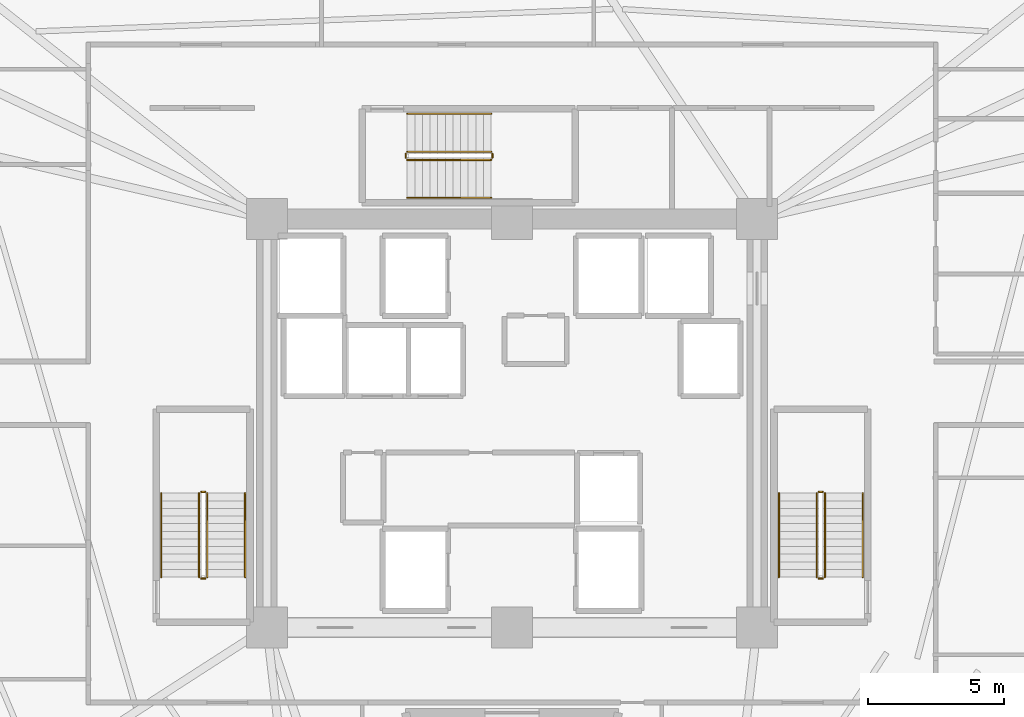
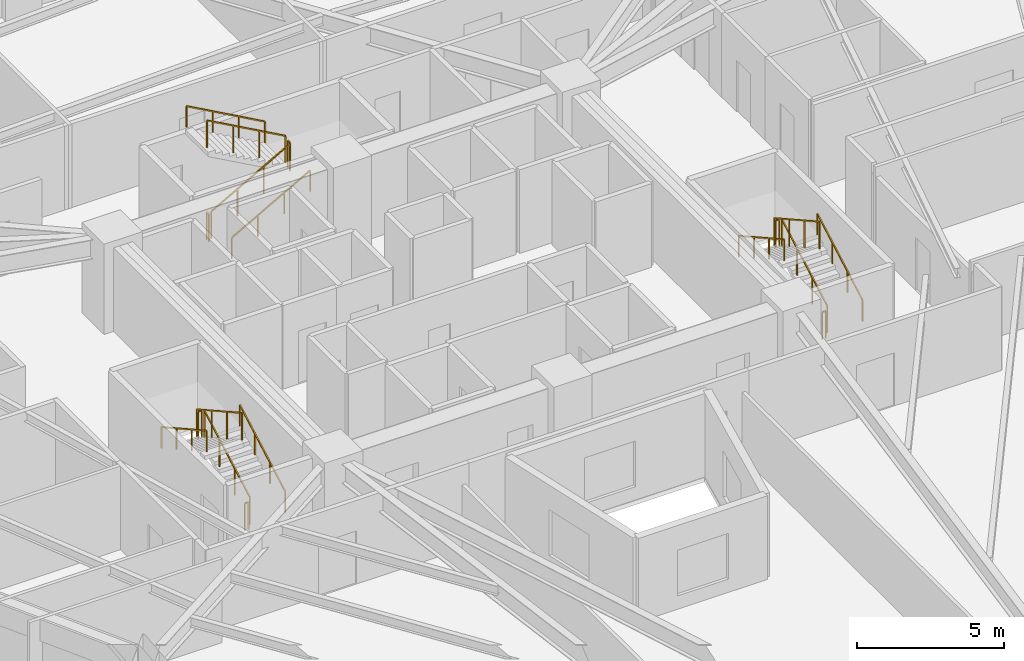
# One storey, part 8 of 8: 18 railings.
"""IFC4 building model written with IfcOpenShell, lengths in metres."""

from ifc_helpers import new_model, si_unit, direction, frame, origin, origin_2d, place, context, subcontext, project, spatial, rectangle, extrude, material, type_object, element, save


model = new_model("IFC4")

# Units and contexts
model_context = context("Model", 3, precision=1e-05, world=origin(), true_north=direction((0.0, 1.0)))
body_context = subcontext(model_context, "Body", "Model", "MODEL_VIEW")
ifc_project = project(units=[si_unit("LENGTHUNIT", "METRE"), si_unit("AREAUNIT", "SQUARE_METRE"), si_unit("VOLUMEUNIT", "CUBIC_METRE"), si_unit("PLANEANGLEUNIT", "RADIAN"), si_unit("MASSUNIT", "GRAM", prefix="KILO")], contexts=[model_context])

# Site, building, storey
site_placement = place(None, origin())
site = spatial("IfcSite", under=ifc_project, at=site_placement, CompositionType="ELEMENT")
building_placement = place(site_placement, origin())
building = spatial("IfcBuilding", under=site, at=building_placement, Name="Liaohun Quay Tower", CompositionType="ELEMENT")
storey_placement = place(building_placement, frame((0.0, 0.0, 181.5)))
storey = spatial("IfcBuildingStorey", under=building, at=storey_placement, Name="L47", CompositionType="ELEMENT", Elevation=181.5)

# Railings
ifc_material_1 = material(Name="Painted tubular steel", Category="steel")
railing_type_1 = type_object("IfcRailingType", Name="RLG-GUARD-STR", PredefinedType="GUARDRAIL", material=ifc_material_1)
railing_1_placement = place(storey_placement, frame((48.81005859375, 48.35009765625, 0.15625)))
element("IfcRailing", 1, at=railing_1_placement, inside=storey, type_object=railing_type_1, Name="L47 ST-1 stair guard 1", PredefinedType="GUARDRAIL", context=body_context, shape_type="SweptSolid", body=[
    extrude(rectangle(XDim=0.048095703125, YDim=0.048095703125, at=origin_2d()), frame((0.0, 0.0, 1.1259765625), z_axis=(0.0, 0.873225103656, 0.487317061414), x_axis=(-1.0, 0.0, 0.0)), (0.0, 0.0, 1.0), 3.52685546875),
    extrude(rectangle(XDim=0.0419921875, YDim=0.0419921875, at=origin_2d()), origin(), (0.0, 0.0, 1.0), 1.101806640625),
    extrude(rectangle(XDim=0.0419921875, YDim=0.0419921875, at=origin_2d()), frame((0.0, 1.026611328125, 0.572998046875)), (0.0, 0.0, 1.0), 1.101806640625),
    extrude(rectangle(XDim=0.0419921875, YDim=0.0419921875, at=origin_2d()), frame((0.0, 2.05322265625, 1.145751953125)), (0.0, 0.0, 1.0), 1.101806640625),
    extrude(rectangle(XDim=0.0419921875, YDim=0.0419921875, at=origin_2d()), frame((0.0, 3.079833984375, 1.71875)), (0.0, 0.0, 1.0), 1.101806640625),
])
railing_2_placement = place(storey_placement, frame((48.72998046875, 51.47998046875, 1.875)))
element("IfcRailing", 2, at=railing_2_placement, inside=storey, type_object=railing_type_1, Name="L47 ST-1 stair guard 2", PredefinedType="GUARDRAIL", context=body_context, shape_type="SweptSolid", body=[
    extrude(rectangle(XDim=0.048095703125, YDim=0.048095703125, at=origin_2d()), frame((0.0, 0.0, 1.1259765625), z_axis=(-1.0, 0.0, 0.0), x_axis=(0.0, -1.0, 0.0)), (0.0, 0.0, 1.0), 0.139892578125),
    extrude(rectangle(XDim=0.0419921875, YDim=0.0419921875, at=origin_2d()), origin(), (0.0, 0.0, 1.0), 1.101806640625),
    extrude(rectangle(XDim=0.0419921875, YDim=0.0419921875, at=origin_2d()), frame((-0.139892578125, 0.0, 0.0)), (0.0, 0.0, 1.0), 1.101806640625),
])
railing_3_placement = place(storey_placement, frame((48.510009765625, 51.429931640625, 2.03125)))
element("IfcRailing", 3, at=railing_3_placement, inside=storey, type_object=railing_type_1, Name="L47 ST-1 stair guard 3", PredefinedType="GUARDRAIL", context=body_context, shape_type="SweptSolid", body=[
    extrude(rectangle(XDim=0.048095703125, YDim=0.048095703125, at=origin_2d()), frame((0.0, 0.0, 1.1259765625), z_axis=(0.0, -0.873225103656, 0.487317061414), x_axis=(1.0, 0.0, 0.0)), (0.0, 0.0, 1.0), 3.52685546875),
    extrude(rectangle(XDim=0.0419921875, YDim=0.0419921875, at=origin_2d()), origin(), (0.0, 0.0, 1.0), 1.101806640625),
    extrude(rectangle(XDim=0.0419921875, YDim=0.0419921875, at=origin_2d()), frame((0.0, -1.026611328125, 0.572998046875)), (0.0, 0.0, 1.0), 1.101806640625),
    extrude(rectangle(XDim=0.0419921875, YDim=0.0419921875, at=origin_2d()), frame((0.0, -2.05322265625, 1.145751953125)), (0.0, 0.0, 1.0), 1.101806640625),
    extrude(rectangle(XDim=0.0419921875, YDim=0.0419921875, at=origin_2d()), frame((0.0, -3.079833984375, 1.71875)), (0.0, 0.0, 1.0), 1.101806640625),
])
railing_4_placement = place(storey_placement, frame((48.72998046875, 48.300048828125, 0.0)))
element("IfcRailing", 4, at=railing_4_placement, inside=storey, type_object=railing_type_1, Name="L47 ST-1 stair guard 4", PredefinedType="GUARDRAIL", context=body_context, shape_type="SweptSolid", body=[
    extrude(rectangle(XDim=0.048095703125, YDim=0.048095703125, at=origin_2d()), frame((0.0, 0.0, 1.1259765625), z_axis=(-1.0, 0.0, 0.0), x_axis=(0.0, -1.0, 0.0)), (0.0, 0.0, 1.0), 0.139892578125),
    extrude(rectangle(XDim=0.0419921875, YDim=0.0419921875, at=origin_2d()), origin(), (0.0, 0.0, 1.0), 1.101806640625),
    extrude(rectangle(XDim=0.0419921875, YDim=0.0419921875, at=origin_2d()), frame((-0.139892578125, 0.0, 0.0)), (0.0, 0.0, 1.0), 1.101806640625),
])
railing_5_placement = place(storey_placement, frame((71.489990234375, 48.35009765625, 0.15625)))
element("IfcRailing", 5, at=railing_5_placement, inside=storey, type_object=railing_type_1, Name="L47 ST-2 stair guard 1", PredefinedType="GUARDRAIL", context=body_context, shape_type="SweptSolid", body=[
    extrude(rectangle(XDim=0.048095703125, YDim=0.048095703125, at=origin_2d()), frame((0.0, 0.0, 1.1259765625), z_axis=(0.0, 0.873225103656, 0.487317061414), x_axis=(-1.0, 0.0, 0.0)), (0.0, 0.0, 1.0), 3.52685546875),
    extrude(rectangle(XDim=0.0419921875, YDim=0.0419921875, at=origin_2d()), origin(), (0.0, 0.0, 1.0), 1.101806640625),
    extrude(rectangle(XDim=0.0419921875, YDim=0.0419921875, at=origin_2d()), frame((0.0, 1.026611328125, 0.572998046875)), (0.0, 0.0, 1.0), 1.101806640625),
    extrude(rectangle(XDim=0.0419921875, YDim=0.0419921875, at=origin_2d()), frame((0.0, 2.05322265625, 1.145751953125)), (0.0, 0.0, 1.0), 1.101806640625),
    extrude(rectangle(XDim=0.0419921875, YDim=0.0419921875, at=origin_2d()), frame((0.0, 3.079833984375, 1.71875)), (0.0, 0.0, 1.0), 1.101806640625),
])
railing_6_placement = place(storey_placement, frame((71.409912109375, 51.47998046875, 1.875)))
element("IfcRailing", 6, at=railing_6_placement, inside=storey, type_object=railing_type_1, Name="L47 ST-2 stair guard 2", PredefinedType="GUARDRAIL", context=body_context, shape_type="SweptSolid", body=[
    extrude(rectangle(XDim=0.048095703125, YDim=0.048095703125, at=origin_2d()), frame((0.0, 0.0, 1.1259765625), z_axis=(-1.0, 0.0, 0.0), x_axis=(0.0, -1.0, 0.0)), (0.0, 0.0, 1.0), 0.139892578125),
    extrude(rectangle(XDim=0.0419921875, YDim=0.0419921875, at=origin_2d()), origin(), (0.0, 0.0, 1.0), 1.101806640625),
    extrude(rectangle(XDim=0.0419921875, YDim=0.0419921875, at=origin_2d()), frame((-0.139892578125, 0.0, 0.0)), (0.0, 0.0, 1.0), 1.101806640625),
])
railing_7_placement = place(storey_placement, frame((71.18994140625, 51.429931640625, 2.03125)))
element("IfcRailing", 7, at=railing_7_placement, inside=storey, type_object=railing_type_1, Name="L47 ST-2 stair guard 3", PredefinedType="GUARDRAIL", context=body_context, shape_type="SweptSolid", body=[
    extrude(rectangle(XDim=0.048095703125, YDim=0.048095703125, at=origin_2d()), frame((0.0, 0.0, 1.1259765625), z_axis=(0.0, -0.873225103656, 0.487317061414), x_axis=(1.0, 0.0, 0.0)), (0.0, 0.0, 1.0), 3.52685546875),
    extrude(rectangle(XDim=0.0419921875, YDim=0.0419921875, at=origin_2d()), origin(), (0.0, 0.0, 1.0), 1.101806640625),
    extrude(rectangle(XDim=0.0419921875, YDim=0.0419921875, at=origin_2d()), frame((0.0, -1.026611328125, 0.572998046875)), (0.0, 0.0, 1.0), 1.101806640625),
    extrude(rectangle(XDim=0.0419921875, YDim=0.0419921875, at=origin_2d()), frame((0.0, -2.05322265625, 1.145751953125)), (0.0, 0.0, 1.0), 1.101806640625),
    extrude(rectangle(XDim=0.0419921875, YDim=0.0419921875, at=origin_2d()), frame((0.0, -3.079833984375, 1.71875)), (0.0, 0.0, 1.0), 1.101806640625),
])
railing_8_placement = place(storey_placement, frame((71.409912109375, 48.300048828125, 0.0)))
element("IfcRailing", 8, at=railing_8_placement, inside=storey, type_object=railing_type_1, Name="L47 ST-2 stair guard 4", PredefinedType="GUARDRAIL", context=body_context, shape_type="SweptSolid", body=[
    extrude(rectangle(XDim=0.048095703125, YDim=0.048095703125, at=origin_2d()), frame((0.0, 0.0, 1.1259765625), z_axis=(-1.0, 0.0, 0.0), x_axis=(0.0, -1.0, 0.0)), (0.0, 0.0, 1.0), 0.139892578125),
    extrude(rectangle(XDim=0.0419921875, YDim=0.0419921875, at=origin_2d()), origin(), (0.0, 0.0, 1.0), 1.101806640625),
    extrude(rectangle(XDim=0.0419921875, YDim=0.0419921875, at=origin_2d()), frame((-0.139892578125, 0.0, 0.0)), (0.0, 0.0, 1.0), 1.101806640625),
])
railing_9_placement = place(storey_placement, frame((56.14990234375, 63.669921875, 0.15625)))
element("IfcRailing", 9, at=railing_9_placement, inside=storey, type_object=railing_type_1, Name="L47 ST-3 stair guard 1", PredefinedType="GUARDRAIL", context=body_context, shape_type="SweptSolid", body=[
    extrude(rectangle(XDim=0.048095703125, YDim=0.048095703125, at=origin_2d()), frame((0.0, 0.0, 1.1259765625), z_axis=(0.873241540666, 0.0, 0.487287606713), x_axis=(0.0, 1.0, 0.0)), (0.0, 0.0, 1.0), 3.527099609375),
    extrude(rectangle(XDim=0.0419921875, YDim=0.0419921875, at=origin_2d()), origin(), (0.0, 0.0, 1.0), 1.101806640625),
    extrude(rectangle(XDim=0.0419921875, YDim=0.0419921875, at=origin_2d()), frame((1.026611328125, 0.0, 0.572998046875)), (0.0, 0.0, 1.0), 1.101806640625),
    extrude(rectangle(XDim=0.0419921875, YDim=0.0419921875, at=origin_2d()), frame((2.053466796875, 0.0, 1.145751953125)), (0.0, 0.0, 1.0), 1.101806640625),
    extrude(rectangle(XDim=0.0419921875, YDim=0.0419921875, at=origin_2d()), frame((3.080078125, 0.0, 1.71875)), (0.0, 0.0, 1.0), 1.101806640625),
])
railing_10_placement = place(storey_placement, frame((59.280029296875, 63.75, 1.875)))
element("IfcRailing", 10, at=railing_10_placement, inside=storey, type_object=railing_type_1, Name="L47 ST-3 stair guard 2", PredefinedType="GUARDRAIL", context=body_context, shape_type="SweptSolid", body=[
    extrude(rectangle(XDim=0.048095703125, YDim=0.048095703125, at=origin_2d()), frame((0.0, 0.0, 1.1259765625), z_axis=(0.0, 1.0, 0.0), x_axis=(-1.0, 0.0, 0.0)), (0.0, 0.0, 1.0), 0.139892578125),
    extrude(rectangle(XDim=0.0419921875, YDim=0.0419921875, at=origin_2d()), origin(), (0.0, 0.0, 1.0), 1.101806640625),
    extrude(rectangle(XDim=0.0419921875, YDim=0.0419921875, at=origin_2d()), frame((0.0, 0.139892578125, 0.0)), (0.0, 0.0, 1.0), 1.101806640625),
])
railing_11_placement = place(storey_placement, frame((59.22998046875, 63.969970703125, 2.03125)))
element("IfcRailing", 11, at=railing_11_placement, inside=storey, type_object=railing_type_1, Name="L47 ST-3 stair guard 3", PredefinedType="GUARDRAIL", context=body_context, shape_type="SweptSolid", body=[
    extrude(rectangle(XDim=0.048095703125, YDim=0.048095703125, at=origin_2d()), frame((0.0, 0.0, 1.1259765625), z_axis=(-0.873241540666, 0.0, 0.487287606713), x_axis=(0.0, -1.0, 0.0)), (0.0, 0.0, 1.0), 3.527099609375),
    extrude(rectangle(XDim=0.0419921875, YDim=0.0419921875, at=origin_2d()), origin(), (0.0, 0.0, 1.0), 1.101806640625),
    extrude(rectangle(XDim=0.0419921875, YDim=0.0419921875, at=origin_2d()), frame((-1.026611328125, 0.0, 0.572998046875)), (0.0, 0.0, 1.0), 1.101806640625),
    extrude(rectangle(XDim=0.0419921875, YDim=0.0419921875, at=origin_2d()), frame((-2.053466796875, 0.0, 1.145751953125)), (0.0, 0.0, 1.0), 1.101806640625),
    extrude(rectangle(XDim=0.0419921875, YDim=0.0419921875, at=origin_2d()), frame((-3.080078125, 0.0, 1.71875)), (0.0, 0.0, 1.0), 1.101806640625),
])
railing_12_placement = place(storey_placement, frame((56.10009765625, 63.75, 0.0)))
element("IfcRailing", 12, at=railing_12_placement, inside=storey, type_object=railing_type_1, Name="L47 ST-3 stair guard 4", PredefinedType="GUARDRAIL", context=body_context, shape_type="SweptSolid", body=[
    extrude(rectangle(XDim=0.048095703125, YDim=0.048095703125, at=origin_2d()), frame((0.0, 0.0, 1.1259765625), z_axis=(0.0, 1.0, 0.0), x_axis=(-1.0, 0.0, 0.0)), (0.0, 0.0, 1.0), 0.139892578125),
    extrude(rectangle(XDim=0.0419921875, YDim=0.0419921875, at=origin_2d()), origin(), (0.0, 0.0, 1.0), 1.101806640625),
    extrude(rectangle(XDim=0.0419921875, YDim=0.0419921875, at=origin_2d()), frame((0.0, 0.139892578125, 0.0)), (0.0, 0.0, 1.0), 1.101806640625),
])
ifc_material_2 = material(Name="Brushed stainless steel", Category="steel")
railing_type_2 = type_object("IfcRailingType", Name="RLG-HND-STR", PredefinedType="HANDRAIL", material=ifc_material_2)
railing_13_placement = place(storey_placement, frame((50.199951171875, 48.35009765625, 0.15625)))
element("IfcRailing", 13, at=railing_13_placement, inside=storey, type_object=railing_type_2, Name="L47 ST-1 stair handrail 1", PredefinedType="HANDRAIL", context=body_context, shape_type="SweptSolid", body=[
    extrude(rectangle(XDim=0.048095703125, YDim=0.048095703125, at=origin_2d()), frame((0.0, 0.0, 0.8759765625), z_axis=(0.0, 0.873225103656, 0.487317061414), x_axis=(-1.0, 0.0, 0.0)), (0.0, 0.0, 1.0), 3.52685546875),
    extrude(rectangle(XDim=0.0419921875, YDim=0.0419921875, at=origin_2d()), origin(), (0.0, 0.0, 1.0), 0.851806640625),
    extrude(rectangle(XDim=0.0419921875, YDim=0.0419921875, at=origin_2d()), frame((0.0, 1.026611328125, 0.572998046875)), (0.0, 0.0, 1.0), 0.851806640625),
    extrude(rectangle(XDim=0.0419921875, YDim=0.0419921875, at=origin_2d()), frame((0.0, 2.05322265625, 1.145751953125)), (0.0, 0.0, 1.0), 0.851806640625),
    extrude(rectangle(XDim=0.0419921875, YDim=0.0419921875, at=origin_2d()), frame((0.0, 3.079833984375, 1.71875)), (0.0, 0.0, 1.0), 0.851806640625),
])
railing_14_placement = place(storey_placement, frame((47.1201171875, 51.429931640625, 2.03125)))
element("IfcRailing", 14, at=railing_14_placement, inside=storey, type_object=railing_type_2, Name="L47 ST-1 stair handrail 2", PredefinedType="HANDRAIL", context=body_context, shape_type="SweptSolid", body=[
    extrude(rectangle(XDim=0.048095703125, YDim=0.048095703125, at=origin_2d()), frame((0.0, 0.0, 0.8759765625), z_axis=(0.0, -0.873225103656, 0.487317061414), x_axis=(1.0, 0.0, 0.0)), (0.0, 0.0, 1.0), 3.52685546875),
    extrude(rectangle(XDim=0.0419921875, YDim=0.0419921875, at=origin_2d()), origin(), (0.0, 0.0, 1.0), 0.851806640625),
    extrude(rectangle(XDim=0.0419921875, YDim=0.0419921875, at=origin_2d()), frame((0.0, -1.026611328125, 0.572998046875)), (0.0, 0.0, 1.0), 0.851806640625),
    extrude(rectangle(XDim=0.0419921875, YDim=0.0419921875, at=origin_2d()), frame((0.0, -2.05322265625, 1.145751953125)), (0.0, 0.0, 1.0), 0.851806640625),
    extrude(rectangle(XDim=0.0419921875, YDim=0.0419921875, at=origin_2d()), frame((0.0, -3.079833984375, 1.71875)), (0.0, 0.0, 1.0), 0.851806640625),
])
railing_15_placement = place(storey_placement, frame((72.8798828125, 48.35009765625, 0.15625)))
element("IfcRailing", 15, at=railing_15_placement, inside=storey, type_object=railing_type_2, Name="L47 ST-2 stair handrail 1", PredefinedType="HANDRAIL", context=body_context, shape_type="SweptSolid", body=[
    extrude(rectangle(XDim=0.048095703125, YDim=0.048095703125, at=origin_2d()), frame((0.0, 0.0, 0.8759765625), z_axis=(0.0, 0.873225103656, 0.487317061414), x_axis=(-1.0, 0.0, 0.0)), (0.0, 0.0, 1.0), 3.52685546875),
    extrude(rectangle(XDim=0.0419921875, YDim=0.0419921875, at=origin_2d()), origin(), (0.0, 0.0, 1.0), 0.851806640625),
    extrude(rectangle(XDim=0.0419921875, YDim=0.0419921875, at=origin_2d()), frame((0.0, 1.026611328125, 0.572998046875)), (0.0, 0.0, 1.0), 0.851806640625),
    extrude(rectangle(XDim=0.0419921875, YDim=0.0419921875, at=origin_2d()), frame((0.0, 2.05322265625, 1.145751953125)), (0.0, 0.0, 1.0), 0.851806640625),
    extrude(rectangle(XDim=0.0419921875, YDim=0.0419921875, at=origin_2d()), frame((0.0, 3.079833984375, 1.71875)), (0.0, 0.0, 1.0), 0.851806640625),
])
railing_16_placement = place(storey_placement, frame((69.800048828125, 51.429931640625, 2.03125)))
element("IfcRailing", 16, at=railing_16_placement, inside=storey, type_object=railing_type_2, Name="L47 ST-2 stair handrail 2", PredefinedType="HANDRAIL", context=body_context, shape_type="SweptSolid", body=[
    extrude(rectangle(XDim=0.048095703125, YDim=0.048095703125, at=origin_2d()), frame((0.0, 0.0, 0.8759765625), z_axis=(0.0, -0.873225103656, 0.487317061414), x_axis=(1.0, 0.0, 0.0)), (0.0, 0.0, 1.0), 3.52685546875),
    extrude(rectangle(XDim=0.0419921875, YDim=0.0419921875, at=origin_2d()), origin(), (0.0, 0.0, 1.0), 0.851806640625),
    extrude(rectangle(XDim=0.0419921875, YDim=0.0419921875, at=origin_2d()), frame((0.0, -1.026611328125, 0.572998046875)), (0.0, 0.0, 1.0), 0.851806640625),
    extrude(rectangle(XDim=0.0419921875, YDim=0.0419921875, at=origin_2d()), frame((0.0, -2.05322265625, 1.145751953125)), (0.0, 0.0, 1.0), 0.851806640625),
    extrude(rectangle(XDim=0.0419921875, YDim=0.0419921875, at=origin_2d()), frame((0.0, -3.079833984375, 1.71875)), (0.0, 0.0, 1.0), 0.851806640625),
])
railing_17_placement = place(storey_placement, frame((56.14990234375, 62.280029296875, 0.15625)))
element("IfcRailing", 17, at=railing_17_placement, inside=storey, type_object=railing_type_2, Name="L47 ST-3 stair handrail 1", PredefinedType="HANDRAIL", context=body_context, shape_type="SweptSolid", body=[
    extrude(rectangle(XDim=0.048095703125, YDim=0.048095703125, at=origin_2d()), frame((0.0, 0.0, 0.8759765625), z_axis=(0.873241540666, 0.0, 0.487287606713), x_axis=(0.0, 1.0, 0.0)), (0.0, 0.0, 1.0), 3.527099609375),
    extrude(rectangle(XDim=0.0419921875, YDim=0.0419921875, at=origin_2d()), origin(), (0.0, 0.0, 1.0), 0.851806640625),
    extrude(rectangle(XDim=0.0419921875, YDim=0.0419921875, at=origin_2d()), frame((1.026611328125, 0.0, 0.572998046875)), (0.0, 0.0, 1.0), 0.851806640625),
    extrude(rectangle(XDim=0.0419921875, YDim=0.0419921875, at=origin_2d()), frame((2.053466796875, 0.0, 1.145751953125)), (0.0, 0.0, 1.0), 0.851806640625),
    extrude(rectangle(XDim=0.0419921875, YDim=0.0419921875, at=origin_2d()), frame((3.080078125, 0.0, 1.71875)), (0.0, 0.0, 1.0), 0.851806640625),
])
railing_18_placement = place(storey_placement, frame((59.22998046875, 65.360107421875, 2.03125)))
element("IfcRailing", 18, at=railing_18_placement, inside=storey, type_object=railing_type_2, Name="L47 ST-3 stair handrail 2", PredefinedType="HANDRAIL", context=body_context, shape_type="SweptSolid", body=[
    extrude(rectangle(XDim=0.048095703125, YDim=0.048095703125, at=origin_2d()), frame((0.0, 0.0, 0.8759765625), z_axis=(-0.873241540666, 0.0, 0.487287606713), x_axis=(0.0, -1.0, 0.0)), (0.0, 0.0, 1.0), 3.527099609375),
    extrude(rectangle(XDim=0.0419921875, YDim=0.0419921875, at=origin_2d()), origin(), (0.0, 0.0, 1.0), 0.851806640625),
    extrude(rectangle(XDim=0.0419921875, YDim=0.0419921875, at=origin_2d()), frame((-1.026611328125, 0.0, 0.572998046875)), (0.0, 0.0, 1.0), 0.851806640625),
    extrude(rectangle(XDim=0.0419921875, YDim=0.0419921875, at=origin_2d()), frame((-2.053466796875, 0.0, 1.145751953125)), (0.0, 0.0, 1.0), 0.851806640625),
    extrude(rectangle(XDim=0.0419921875, YDim=0.0419921875, at=origin_2d()), frame((-3.080078125, 0.0, 1.71875)), (0.0, 0.0, 1.0), 0.851806640625),
])

save(model, "model.ifc")
